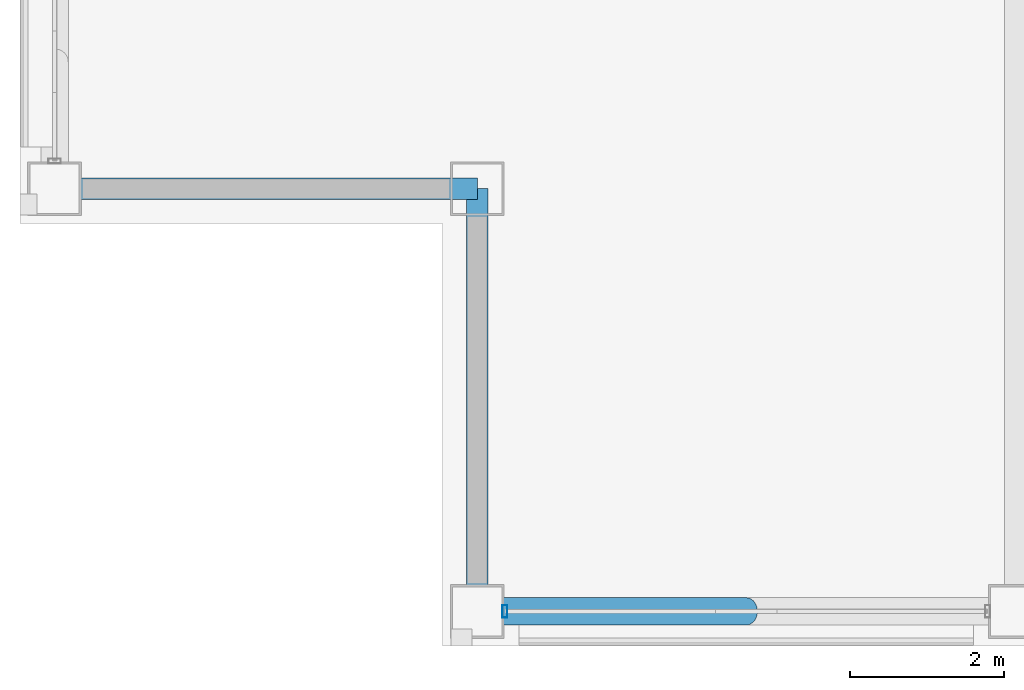
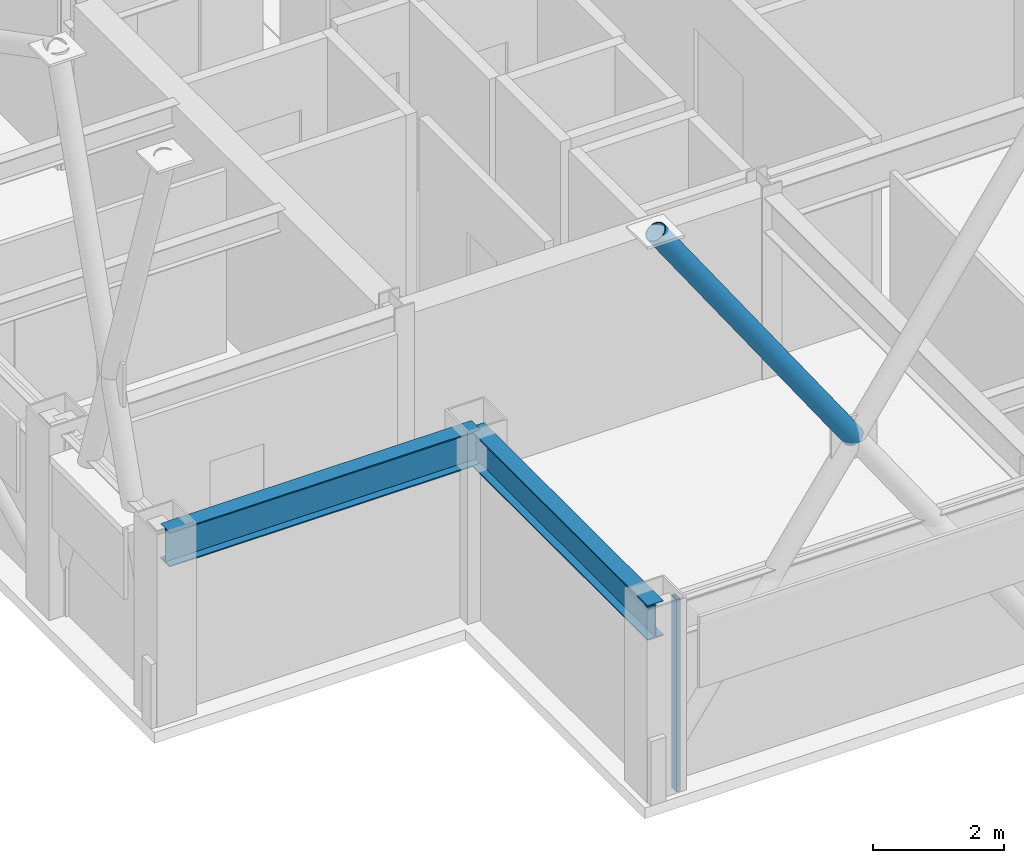
# One storey, part 2 of 33: 2 beams, 2 members, 1 element without a shape of its own.
"""IFC4 building model written with IfcOpenShell, lengths in metres."""

from ifc_helpers import new_model, si_unit, direction, frame, origin, origin_2d, place, context, subcontext, project, spatial, hollow_rectangle, hollow_circle, i_section, extrude, material, layer, layer_set, material_profile, profile_set, type_object, element, aggregate, save


model = new_model("IFC4")

# Units and contexts
model_context = context("Model", 3, precision=1e-05, world=origin(), true_north=direction((0.0, 1.0)))
body_context = subcontext(model_context, "Body", "Model", "MODEL_VIEW")
ifc_project = project(units=[si_unit("LENGTHUNIT", "METRE"), si_unit("AREAUNIT", "SQUARE_METRE"), si_unit("VOLUMEUNIT", "CUBIC_METRE"), si_unit("PLANEANGLEUNIT", "RADIAN"), si_unit("MASSUNIT", "GRAM", prefix="KILO")], contexts=[model_context])

# Site, building, storey
site_placement = place(None, origin())
site = spatial("IfcSite", under=ifc_project, at=site_placement, CompositionType="ELEMENT")
building_placement = place(site_placement, origin())
building = spatial("IfcBuilding", under=site, at=building_placement, Name="Brelmoor Portico Tower", CompositionType="ELEMENT")
storey_placement = place(building_placement, frame((0.0, 0.0, 183.89990234375)))
storey = spatial("IfcBuildingStorey", under=building, at=storey_placement, Name="L48", CompositionType="ELEMENT", Elevation=183.89990234375)

# Beams
ifc_material_1 = material(Name="Steel Q355B", Category="steel")
ifc_material_profile_1 = material_profile(ifc_material_1, i_section(OverallWidth=0.280029296875, OverallDepth=0.64990234375, WebThickness=0.012939453125, FlangeThickness=0.02197265625, at=origin_2d()), Name="HN 650x280x13x22")
ifc_profile_set_1 = profile_set([ifc_material_profile_1], Name="Steel Q355B")
beam_type = type_object("IfcBeamType", Name="BM-SP-650", PredefinedType="SPANDREL", material=ifc_profile_set_1)
for number, where, z_axis, x_axis, name in (
    (1, (-20.550048828125, -13.050048828125, 3.0751953125), (1.0, 0.0, 0.0), (0.0, 1.0, 0.0), "L48 Perimeter Spandrel Beam SP-04"),
    (2, (-15.050048828125, -18.550048828125, 3.0751953125), (0.0, 1.0, 0.0), (-1.0, 0.0, 0.0), "L48 Perimeter Spandrel Beam SP-14"),
):
    element("IfcBeam", number, at=place(storey_placement, frame(where, z_axis=z_axis, x_axis=x_axis)), inside=storey, type_object=beam_type, Name=name, PredefinedType="SPANDREL", context=body_context, shape_type="SweptSolid", body=[
        extrude(i_section(OverallWidth=0.280029296875, OverallDepth=0.64990234375, WebThickness=0.012939453125, FlangeThickness=0.02197265625, at=origin_2d()), origin(), (0.0, 0.0, 1.0), 5.5),
    ])

# Member
ifc_material_profile_2 = material_profile(ifc_material_1, hollow_circle(Radius=0.177978515625, WallThickness=0.01611328125, at=origin_2d()), Name="CHS 356x16")
ifc_profile_set_2 = profile_set([ifc_material_profile_2], Name="Steel Q355B")
member_type_1 = type_object("IfcMemberType", Name="MB-BELT-DIAG2", PredefinedType="BRACE", material=ifc_profile_set_2)
member_1_placement = place(storey_placement, frame((-11.550048828125, -18.550048828125, 5.300048828125), z_axis=(-0.569629338867, 0.0, 0.821901707203), x_axis=(0.0, -1.0, 0.0)))
element("IfcMember", 3, at=member_1_placement, inside=storey, type_object=member_type_1, Name="L48 Split Mega-X Brace 105B2", PredefinedType="BRACE", context=body_context, shape_type="SweptSolid", body=[
    extrude(hollow_circle(Radius=0.177978515625, WallThickness=0.01611328125, at=origin_2d()), origin(), (0.0, 0.0, 1.0), 6.144287109375),
])

# Curtain wall, member
ifc_material_2 = material(Name="Anodised Aluminium Alloy 6063-T6", Category="aluminium")
ifc_layer = layer(ifc_material_2, 0.179931640625)
ifc_layer_set = layer_set([ifc_layer], Name="Anodised Aluminium Alloy 6063-T6")
curtain_wall_type = type_object("IfcCurtainWallType", Name="CW-TOWER-Z3-XB", PredefinedType="NOTDEFINED", material=ifc_layer_set)
curtain_wall_placement = place(storey_placement, origin())
curtain_wall = element("IfcCurtainWall", 4, at=curtain_wall_placement, inside=storey, type_object=curtain_wall_type, Name="L48 Curtain Wall CW-L48-01-1", PredefinedType="NOTDEFINED")
ifc_material_profile_3 = material_profile(ifc_material_2, hollow_rectangle(XDim=0.06494140625, YDim=0.1650390625, WallThickness=0.00390625, at=origin_2d()), Name="ALU MULLION 65x165")
ifc_profile_set_3 = profile_set([ifc_material_profile_3], Name="Anodised Aluminium Alloy 6063-T6")
member_type_2 = type_object("IfcMemberType", Name="MB-CW-MULL-165", PredefinedType="MULLION", material=ifc_profile_set_3)
member_2_placement = place(storey_placement, frame((-14.68994140625, -18.550048828125, -0.199951171875), z_axis=(0.0, 0.0, 1.0), x_axis=(1.0, 0.0, 0.0)))
member_2 = element("IfcMember", 5, at=member_2_placement, type_object=member_type_2, Name="CW-L48-01-1 Mullion 00", PredefinedType="MULLION", context=body_context, shape_type="SweptSolid", body=[
    extrude(hollow_rectangle(XDim=0.06494140625, YDim=0.1650390625, WallThickness=0.00390625, at=origin_2d()), origin(), (0.0, 0.0, 1.0), 3.60009765625),
])
aggregate(curtain_wall, [member_2])

save(model, "model.ifc")
